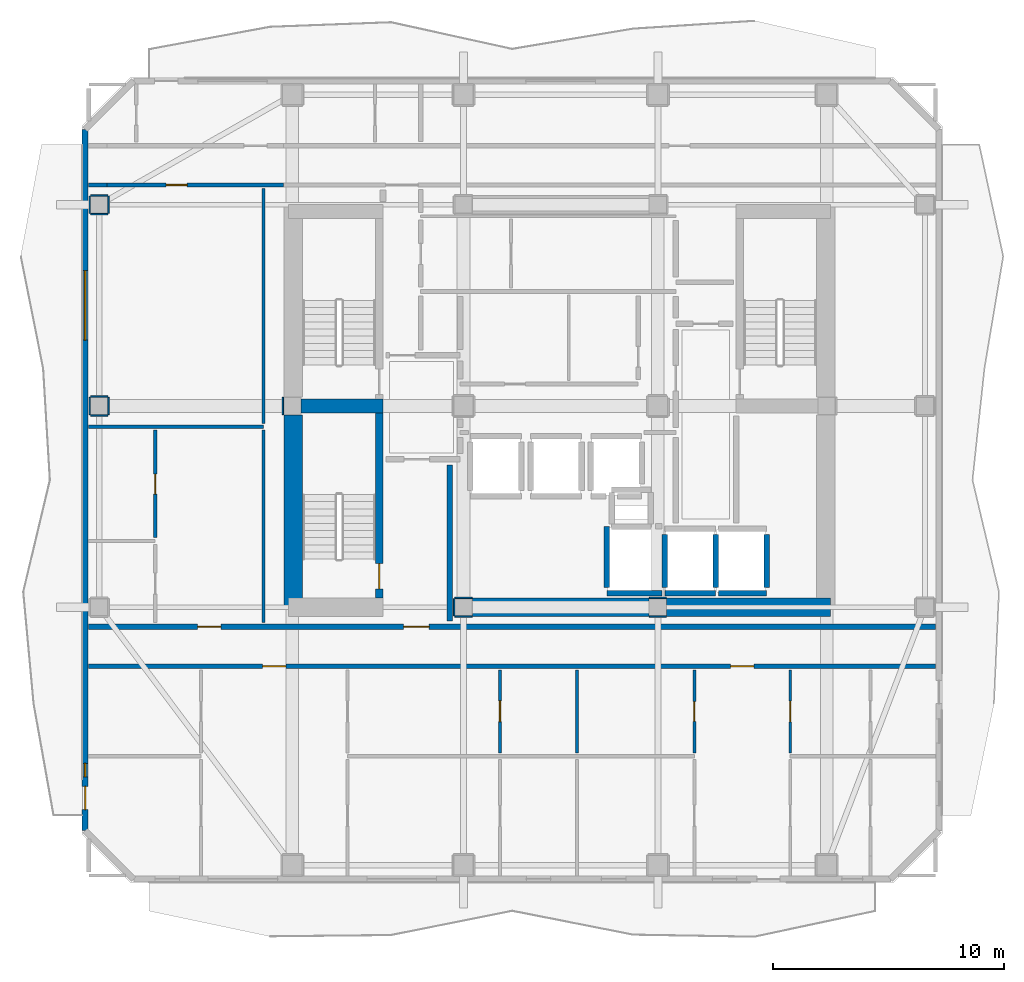
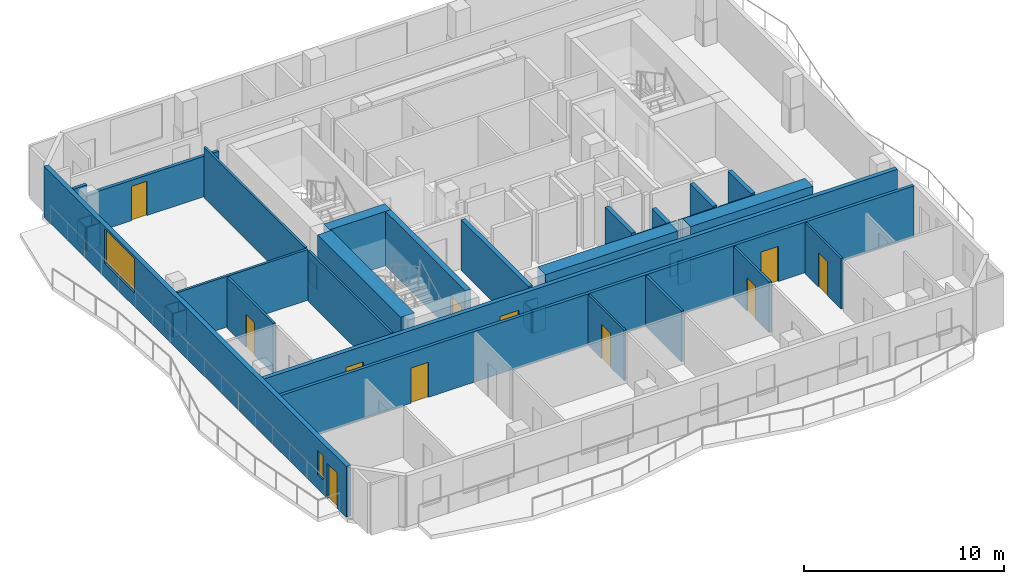
# One storey, part 3 of 10: 40 walls, 11 doors, 2 windows, 13 openings.
"""IFC4 building model written with IfcOpenShell, lengths in metres."""

from ifc_helpers import new_model, si_unit, direction, frame, frame_2d, origin, place, context, subcontext, project, spatial, rectangle, extrude, material, layer, layer_set, type_object, element, fill, save


model = new_model("IFC4")

# Units and contexts
model_context = context("Model", 3, precision=1e-05, world=origin(), true_north=direction((0.0, 1.0)))
body_context = subcontext(model_context, "Body", "Model", "MODEL_VIEW")
ifc_project = project(units=[si_unit("LENGTHUNIT", "METRE"), si_unit("AREAUNIT", "SQUARE_METRE"), si_unit("VOLUMEUNIT", "CUBIC_METRE"), si_unit("PLANEANGLEUNIT", "RADIAN"), si_unit("MASSUNIT", "GRAM", prefix="KILO")], contexts=[model_context])

# Site, building, storey
site_placement = place(None, origin())
site = spatial("IfcSite", under=ifc_project, at=site_placement, CompositionType="ELEMENT")
building_placement = place(site_placement, origin())
building = spatial("IfcBuilding", under=site, at=building_placement, Name="Solanera Arch Residences", CompositionType="ELEMENT")
storey_placement = place(building_placement, frame((0.0, 0.0, 200.1201171875)))
storey = spatial("IfcBuildingStorey", under=building, at=storey_placement, Name="L58", CompositionType="ELEMENT", Elevation=200.1201171875)

# Walls
ifc_material_1 = material(Name="Fire-Rated Gypsum Stud Partition", Category="gypsum")
ifc_layer_1 = layer(ifc_material_1, 0.06005859375)
ifc_layer_set_1 = layer_set([ifc_layer_1], Name="Fire-Rated Gypsum Stud Partition")
wall_type_1 = type_object("IfcWallType", Name="Column Acoustic Furring Wall 60", PredefinedType="PARTITIONING", material=ifc_layer_set_1)
for number, where, z_axis, x_axis, name in (
    (1, (20.425048828125, 21.593017578125, 0.0), (0.0, 0.0, 1.0), (1.0, 0.0, 0.0), "L58 Column Furring 1S"),
    (2, (20.425048828125, 22.406982421875, 0.0), (0.0, 0.0, 1.0), (1.0, 0.0, 0.0), "L58 Column Furring 1N"),
):
    element("IfcWall", number, at=place(storey_placement, frame(where, z_axis=z_axis, x_axis=x_axis)), inside=storey, type_object=wall_type_1, Name=name, PredefinedType="PARTITIONING", context=body_context, shape_type="SweptSolid", body=[
        extrude(rectangle(XDim=0.741943359375, YDim=0.06005859375, at=frame_2d((0.37109375, 0.0))), origin(), (0.0, 0.0, 1.0), 1.449951171875),
    ])
wall_1_placement = place(storey_placement, frame((20.39306640625, 21.625, 0.0), z_axis=(0.0, 0.0, 1.0), x_axis=(0.0, 1.0, 0.0)))
element("IfcWall", 3, at=wall_1_placement, inside=storey, type_object=wall_type_1, Name="L58 Column Furring 1W", PredefinedType="PARTITIONING", context=body_context, shape_type="SweptSolid", body=[
    extrude(rectangle(XDim=0.75, YDim=0.06005859375, at=frame_2d((0.375, 0.0))), origin(), (0.0, 0.0, 1.0), 1.449951171875),
])
for number, where, z_axis, x_axis, name in (
    (4, (28.8330078125, 21.593017578125, 0.0), (0.0, 0.0, 1.0), (1.0, 0.0, 0.0), "L58 Column Furring 2S"),
    (5, (28.8330078125, 22.406982421875, 0.0), (0.0, 0.0, 1.0), (1.0, 0.0, 0.0), "L58 Column Furring 2N"),
):
    element("IfcWall", number, at=place(storey_placement, frame(where, z_axis=z_axis, x_axis=x_axis)), inside=storey, type_object=wall_type_1, Name=name, PredefinedType="PARTITIONING", context=body_context, shape_type="SweptSolid", body=[
        extrude(rectangle(XDim=0.73388671875, YDim=0.06005859375, at=frame_2d((0.366943359375, 0.0))), origin(), (0.0, 0.0, 1.0), 1.449951171875),
    ])
for number, where, z_axis, x_axis, name in (
    (6, (12.992919921875, 30.324951171875, 0.0), (0.0, 0.0, 1.0), (0.0, 1.0, 0.0), "L58 Column Furring 5W"),
    (7, (4.675048828125, 30.29296875, 0.0), (0.0, 0.0, 1.0), (1.0, 0.0, 0.0), "L58 Column Furring 19S"),
    (8, (4.675048828125, 31.10693359375, 0.0), (0.0, 0.0, 1.0), (1.0, 0.0, 0.0), "L58 Column Furring 19N"),
    (9, (4.64306640625, 30.324951171875, 0.0), (0.0, 0.0, 1.0), (0.0, 1.0, 0.0), "L58 Column Furring 19W"),
    (10, (5.45703125, 30.324951171875, 0.0), (0.0, 0.0, 1.0), (0.0, 1.0, 0.0), "L58 Column Furring 19E"),
    (11, (4.675048828125, 38.992919921875, 0.0), (0.0, 0.0, 1.0), (1.0, 0.0, 0.0), "L58 Column Furring 21S"),
    (12, (4.675048828125, 39.806884765625, 0.0), (0.0, 0.0, 1.0), (1.0, 0.0, 0.0), "L58 Column Furring 21N"),
    (13, (4.64306640625, 39.02490234375, 0.0), (0.0, 0.0, 1.0), (0.0, 1.0, 0.0), "L58 Column Furring 21W"),
    (14, (5.45703125, 39.02490234375, 0.0), (0.0, 0.0, 1.0), (0.0, 1.0, 0.0), "L58 Column Furring 21E"),
):
    element("IfcWall", number, at=place(storey_placement, frame(where, z_axis=z_axis, x_axis=x_axis)), inside=storey, type_object=wall_type_1, Name=name, PredefinedType="PARTITIONING", context=body_context, shape_type="SweptSolid", body=[
        extrude(rectangle(XDim=0.75, YDim=0.06005859375, at=frame_2d((0.375, 0.0))), origin(), (0.0, 0.0, 1.0), 1.449951171875),
    ])

# Wall, opening, door
ifc_material_2 = material(Name="Concrete C40/50 (f'c = 45 MPa)", Category="concrete")
ifc_layer_2 = layer(ifc_material_2, 0.320068359375)
ifc_layer_set_2 = layer_set([ifc_layer_2], Name="Concrete C40/50 (f'c = 45 MPa)")
wall_type_2 = type_object("IfcWallType", Name="Core Shear Wall CW-320", PredefinedType="SHEAR", material=ifc_layer_set_2)
wall_2_placement = place(storey_placement, frame((17.159912109375, 22.39990234375, 0.0), z_axis=(0.0, 0.0, 1.0), x_axis=(0.0, 1.0, 0.0)))
wall_2 = element("IfcWall", 15, at=wall_2_placement, inside=storey, type_object=wall_type_2, Name="L58 Stair ST-T3 East Shear Wall", PredefinedType="SHEAR", context=body_context, shape_type="SweptSolid", body=[
    extrude(rectangle(XDim=8.0, YDim=0.320068359375, at=frame_2d((4.0, 0.0))), origin(), (0.0, 0.0, 1.0), 3.31982421875),
])
opening_1_placement = place(wall_2_placement, frame((0.389892578125, 0.0, 0.0)))
opening_1 = element("IfcOpeningElement", 16, at=opening_1_placement, cuts=wall_2, Name="Opening DF-01", PredefinedType="OPENING", context=body_context, shape_type="SweptSolid", body=[
    extrude(rectangle(XDim=1.10009765625, YDim=2.14990234375, at=frame_2d((0.550048828125, 1.074951171875))), frame((0.0, 0.169921875, 0.0), z_axis=(0.0, -1.0, 0.0), x_axis=(1.0, 0.0, 0.0)), (0.0, 0.0, 1.0), 0.3401),
])
ifc_material_3 = material(Name="Fire-Rated Architectural Hardwood", Category="wood")
door_type_1 = type_object("IfcDoorType", Name="Stair Exit Fire Door DF-01", OperationType="NOTDEFINED", PredefinedType="DOOR", material=ifc_material_3)
door_1_placement = place(opening_1_placement, origin())
door_1 = element("IfcDoor", 17, at=door_1_placement, inside=storey, type_object=door_type_1, Name="DR-L58-STAIR-ST-T3", OperationType="SINGLE_SWING_LEFT", OverallHeight=2.14990234375, OverallWidth=1.10009765625, PredefinedType="DOOR", context=body_context, shape_type="SweptSolid", body=[
    extrude(rectangle(XDim=1.10009765625, YDim=2.14990234375, at=frame_2d((0.550048828125, 1.074951171875))), frame((0.0, 0.02490234375, 0.0), z_axis=(0.0, -1.0, 0.0), x_axis=(1.0, 0.0, 0.0)), (0.0, 0.0, 1.0), 0.050048828125),
])
fill(opening_1, door_1)

# Walls
ifc_material_4 = material(Name="Concrete C40/50 (f'c = 45 MPa)", Category="concrete")
ifc_layer_3 = layer(ifc_material_4, 0.60009765625)
ifc_layer_set_3 = layer_set([ifc_layer_3], Name="Concrete C40/50 (f'c = 45 MPa)")
wall_type_3 = type_object("IfcWallType", Name="Core Shear Wall CW-600", PredefinedType="SHEAR", material=ifc_layer_set_3)
wall_3_placement = place(storey_placement, frame((13.780029296875, 30.699951171875, 0.0), z_axis=(0.0, 0.0, 1.0), x_axis=(1.0, 0.0, 0.0)))
element("IfcWall", 18, at=wall_3_placement, inside=storey, type_object=wall_type_3, Name="L58 West Stair Divider Shear Wall", PredefinedType="SHEAR", context=body_context, shape_type="SweptSolid", body=[
    extrude(rectangle(XDim=3.5400390625, YDim=0.60009765625, at=frame_2d((1.77001953125, 0.0))), origin(), (0.0, 0.0, 1.0), 3.31982421875),
])
ifc_material_5 = material(Name="Concrete C40/50 (f'c = 45 MPa)", Category="concrete")
ifc_layer_4 = layer(ifc_material_5, 0.800048828125)
ifc_layer_set_4 = layer_set([ifc_layer_4], Name="Concrete C40/50 (f'c = 45 MPa)")
wall_type_4 = type_object("IfcWallType", Name="Core Shear Wall CW-800", PredefinedType="SHEAR", material=ifc_layer_set_4)
wall_4_placement = place(storey_placement, frame((13.43994140625, 22.0, 0.0), z_axis=(0.0, 0.0, 1.0), x_axis=(0.0, 1.0, 0.0)))
element("IfcWall", 19, at=wall_4_placement, inside=storey, type_object=wall_type_4, Name="L58 West Core South Shear Wall", PredefinedType="SHEAR", context=body_context, shape_type="SweptSolid", body=[
    extrude(rectangle(XDim=8.320068359375, YDim=0.800048828125, at=frame_2d((4.16015625, 0.0))), origin(), (0.0, 0.0, 1.0), 3.31982421875),
])
wall_5_placement = place(storey_placement, frame((29.580078125, 22.0, 0.0), z_axis=(0.0, 0.0, 1.0), x_axis=(1.0, 0.0, 0.0)))
element("IfcWall", 20, at=wall_5_placement, inside=storey, type_object=wall_type_4, Name="L58 South-East Core Shear Wall", PredefinedType="SHEAR", context=body_context, shape_type="SweptSolid", body=[
    extrude(rectangle(XDim=7.079833984375, YDim=0.800048828125, at=frame_2d((3.5400390625, 0.0))), origin(), (0.0, 0.0, 1.0), 3.31982421875),
])
wall_6_placement = place(storey_placement, frame((21.179931640625, 22.0, 0.0), z_axis=(0.0, 0.0, 1.0), x_axis=(1.0, 0.0, 0.0)))
element("IfcWall", 21, at=wall_6_placement, inside=storey, type_object=wall_type_4, Name="L58 Central South Core Shear Wall", PredefinedType="SHEAR", context=body_context, shape_type="SweptSolid", body=[
    extrude(rectangle(XDim=7.64013671875, YDim=0.800048828125, at=frame_2d((3.820068359375, 0.0))), origin(), (0.0, 0.0, 1.0), 3.31982421875),
])

# Wall, openings, doors
ifc_material_6 = material(Name="Autoclaved Aerated Concrete Blockwork", Category="masonry")
ifc_layer_5 = layer(ifc_material_6, 0.179931640625)
ifc_layer_set_5 = layer_set([ifc_layer_5], Name="Autoclaved Aerated Concrete Blockwork")
wall_type_5 = type_object("IfcWallType", Name="Corridor Fire Partition 180", PredefinedType="PARTITIONING", material=ifc_layer_set_5)
wall_7_placement = place(storey_placement, frame((4.5869140625, 19.449951171875, 0.0), z_axis=(0.0, 0.0, 1.0), x_axis=(1.0, 0.0, 0.0)))
wall_7 = element("IfcWall", 22, at=wall_7_placement, inside=storey, type_object=wall_type_5, Name="L58 Interior Partition H6", PredefinedType="PARTITIONING", context=body_context, shape_type="SweptSolid", body=[
    extrude(rectangle(XDim=36.6259765625, YDim=0.179931640625, at=frame_2d((18.31298828125, 0.0))), origin(), (0.0, 0.0, 1.0), 3.099853515625),
])
opening_2_placement = place(wall_7_placement, frame((7.532958984375, 0.0, 0.0)))
opening_2 = element("IfcOpeningElement", 23, at=opening_2_placement, cuts=wall_7, Name="Opening DI-01", PredefinedType="OPENING", context=body_context, shape_type="SweptSolid", body=[
    extrude(rectangle(XDim=1.0, YDim=2.14990234375, at=frame_2d((0.5, 1.074951171875))), frame((0.0, 0.10009765625, 0.0), z_axis=(0.0, -1.0, 0.0), x_axis=(1.0, 0.0, 0.0)), (0.0, 0.0, 1.0), 0.1999),
])
opening_3_placement = place(wall_7_placement, frame((27.762939453125, 0.0, 0.0)))
opening_3 = element("IfcOpeningElement", 24, at=opening_3_placement, cuts=wall_7, Name="Opening DI-01", PredefinedType="OPENING", context=body_context, shape_type="SweptSolid", body=[
    extrude(rectangle(XDim=1.0, YDim=2.14990234375, at=frame_2d((0.5, 1.074951171875))), frame((0.0, 0.10009765625, 0.0), z_axis=(0.0, -1.0, 0.0), x_axis=(1.0, 0.0, 0.0)), (0.0, 0.0, 1.0), 0.1999),
])
ifc_material_7 = material(Name="Fire-Rated Architectural Hardwood", Category="wood")
door_type_2 = type_object("IfcDoorType", Name="Unit Entrance Fire Door DI-01", OperationType="NOTDEFINED", PredefinedType="DOOR", material=ifc_material_7)
door_2_placement = place(opening_2_placement, origin())
door_2 = element("IfcDoor", 25, at=door_2_placement, inside=storey, type_object=door_type_2, Name="DR-L58-IN-014", OperationType="SINGLE_SWING_RIGHT", OverallHeight=2.14990234375, OverallWidth=1.0, PredefinedType="DOOR", context=body_context, shape_type="SweptSolid", body=[
    extrude(rectangle(XDim=1.0, YDim=2.14990234375, at=frame_2d((0.5, 1.074951171875))), frame((0.0, 0.02490234375, 0.0), z_axis=(0.0, -1.0, 0.0), x_axis=(1.0, 0.0, 0.0)), (0.0, 0.0, 1.0), 0.050048828125),
])
fill(opening_2, door_2)
door_3_placement = place(opening_3_placement, origin())
door_3 = element("IfcDoor", 26, at=door_3_placement, inside=storey, type_object=door_type_2, Name="DR-L58-IN-021", OperationType="SINGLE_SWING_LEFT", OverallHeight=2.14990234375, OverallWidth=1.0, PredefinedType="DOOR", context=body_context, shape_type="SweptSolid", body=[
    extrude(rectangle(XDim=1.0, YDim=2.14990234375, at=frame_2d((0.5, 1.074951171875))), frame((0.0, 0.02490234375, 0.0), z_axis=(0.0, -1.0, 0.0), x_axis=(1.0, 0.0, 0.0)), (0.0, 0.0, 1.0), 0.050048828125),
])
fill(opening_3, door_3)

# Wall
wall_8_placement = place(storey_placement, frame((4.5869140625, 40.25, 0.0), z_axis=(0.0, 0.0, 1.0), x_axis=(1.0, 0.0, 0.0)))
element("IfcWall", 27, at=wall_8_placement, inside=storey, type_object=wall_type_5, Name="L58 Interior Partition H11 1", PredefinedType="PARTITIONING", context=body_context, shape_type="SweptSolid", body=[
    extrude(rectangle(XDim=0.801025390625, YDim=0.179931640625, at=frame_2d((0.400390625, 0.0))), origin(), (0.0, 0.0, 1.0), 3.099853515625),
])

# Wall, opening, door
wall_9_placement = place(storey_placement, frame((5.387939453125, 40.25, 0.0), z_axis=(0.0, 0.0, 1.0), x_axis=(1.0, 0.0, 0.0)))
wall_9 = element("IfcWall", 28, at=wall_9_placement, inside=storey, type_object=wall_type_5, Name="L58 Interior Partition H11 2", PredefinedType="PARTITIONING", context=body_context, shape_type="SweptSolid", body=[
    extrude(rectangle(XDim=7.6240234375, YDim=0.179931640625, at=frame_2d((3.81201171875, 0.0))), origin(), (0.0, 0.0, 1.0), 2.476806640625),
])
opening_4_placement = place(wall_9_placement, frame((2.56103515625, 0.0, 0.0)))
opening_4 = element("IfcOpeningElement", 29, at=opening_4_placement, cuts=wall_9, Name="Opening DI-02", PredefinedType="OPENING", context=body_context, shape_type="SweptSolid", body=[
    extrude(rectangle(XDim=0.89990234375, YDim=2.10009765625, at=frame_2d((0.449951171875, 1.050048828125))), frame((0.0, 0.10009765625, 0.0), z_axis=(0.0, -1.0, 0.0), x_axis=(1.0, 0.0, 0.0)), (0.0, 0.0, 1.0), 0.1999),
])
ifc_material_8 = material(Name="Fire-Rated Architectural Hardwood", Category="wood")
door_type_3 = type_object("IfcDoorType", Name="Suite Room Swing Door DI-02", OperationType="NOTDEFINED", PredefinedType="DOOR", material=ifc_material_8)
door_4_placement = place(opening_4_placement, origin())
door_4 = element("IfcDoor", 30, at=door_4_placement, inside=storey, type_object=door_type_3, Name="DR-L58-IN-035", OperationType="SINGLE_SWING_LEFT", OverallHeight=2.10009765625, OverallWidth=0.89990234375, PredefinedType="DOOR", context=body_context, shape_type="SweptSolid", body=[
    extrude(rectangle(XDim=0.89990234375, YDim=2.10009765625, at=frame_2d((0.449951171875, 1.050048828125))), frame((0.0, 0.02490234375, 0.0), z_axis=(0.0, -1.0, 0.0), x_axis=(1.0, 0.0, 0.0)), (0.0, 0.0, 1.0), 0.050048828125),
])
fill(opening_4, door_4)

# Wall, openings, door, windows
ifc_material_9 = material(Name="Precast Concrete C35/45", Category="concrete")
ifc_layer_6 = layer(ifc_material_9, 0.260009765625)
ifc_layer_set_6 = layer_set([ifc_layer_6], Name="Precast Concrete C35/45")
wall_type_6 = type_object("IfcWallType", Name="Exterior Wall Precast Masonry-Frame 260", PredefinedType="STANDARD", material=ifc_layer_set_6)
wall_10_placement = place(storey_placement, frame((4.445068359375, 12.344970703125, 0.0), z_axis=(0.0, 0.0, 1.0), x_axis=(0.0, 1.0, 0.0)))
wall_10 = element("IfcWall", 31, at=wall_10_placement, inside=storey, type_object=wall_type_6, Name="L58 Tower Exterior Precast Masonry-Frame Wall W", PredefinedType="STANDARD", context=body_context, shape_type="SweptSolid", body=[
    extrude(rectangle(XDim=30.31005859375, YDim=0.260009765625, at=frame_2d((15.155029296875, 0.0))), origin(), (0.0, 0.0, 1.0), 3.099853515625),
])
opening_5_placement = place(wall_10_placement, frame((0.909912109375, 0.0, 0.0)))
opening_5 = element("IfcOpeningElement", 32, at=opening_5_placement, cuts=wall_10, Name="Opening DB-01", PredefinedType="OPENING", context=body_context, shape_type="SweptSolid", body=[
    extrude(rectangle(XDim=1.0, YDim=2.14990234375, at=frame_2d((0.5, 1.074951171875))), frame((0.0, 0.139892578125, 0.0), z_axis=(0.0, -1.0, 0.0), x_axis=(1.0, 0.0, 0.0)), (0.0, 0.0, 1.0), 0.28),
])
opening_6_placement = place(wall_10_placement, frame((2.322021484375, 0.0, 0.85009765625)))
opening_6 = element("IfcOpeningElement", 33, at=opening_6_placement, cuts=wall_10, Name="Opening W-14", PredefinedType="OPENING", context=body_context, shape_type="SweptSolid", body=[
    extrude(rectangle(XDim=0.580078125, YDim=1.5, at=frame_2d((0.2900390625, 0.75))), frame((0.0, 0.139892578125, 0.0), z_axis=(0.0, -1.0, 0.0), x_axis=(1.0, 0.0, 0.0)), (0.0, 0.0, 1.0), 0.28),
])
opening_7_placement = place(wall_10_placement, frame((21.205078125, 0.0, 0.85009765625)))
opening_7 = element("IfcOpeningElement", 34, at=opening_7_placement, cuts=wall_10, Name="Opening W-12", PredefinedType="OPENING", context=body_context, shape_type="SweptSolid", body=[
    extrude(rectangle(XDim=3.0, YDim=2.10009765625, at=frame_2d((1.5, 1.050048828125))), frame((0.0, 0.139892578125, 0.0), z_axis=(0.0, -1.0, 0.0), x_axis=(1.0, 0.0, 0.0)), (0.0, 0.0, 1.0), 0.28),
])
ifc_material_10 = material(Name="Anodised Aluminium Alloy 6063-T6", Category="aluminium")
door_type_4 = type_object("IfcDoorType", Name="Glazed Balcony Swing Door DB-01", OperationType="NOTDEFINED", PredefinedType="DOOR", material=ifc_material_10)
door_5_placement = place(opening_5_placement, origin())
door_5 = element("IfcDoor", 35, at=door_5_placement, inside=storey, type_object=door_type_4, Name="DR-L58-OUT-04", OperationType="SINGLE_SWING_LEFT", OverallHeight=2.14990234375, OverallWidth=1.0, PredefinedType="DOOR", context=body_context, shape_type="SweptSolid", body=[
    extrude(rectangle(XDim=1.0, YDim=2.14990234375, at=frame_2d((0.5, 1.074951171875))), frame((0.0, 0.02490234375, 0.0), z_axis=(0.0, -1.0, 0.0), x_axis=(1.0, 0.0, 0.0)), (0.0, 0.0, 1.0), 0.050048828125),
])
fill(opening_5, door_5)
ifc_material_11 = material(Name="Double Glazed Low-E Laminated Glass", Category="glass")
window_type_1 = type_object("IfcWindowType", Name="Punched Window W-12", PartitioningType="TRIPLE_PANEL_VERTICAL", PredefinedType="WINDOW", material=ifc_material_11)
window_1_placement = place(opening_7_placement, origin())
window_1 = element("IfcWindow", 36, at=window_1_placement, inside=storey, type_object=window_type_1, Name="L58 AMN-STDW Punched Window", OverallHeight=2.10009765625, OverallWidth=3.0, PartitioningType="SINGLE_PANEL", PredefinedType="WINDOW", context=body_context, shape_type="SweptSolid", body=[
    extrude(rectangle(XDim=3.0, YDim=2.10009765625, at=frame_2d((1.5, 1.050048828125))), frame((0.0, 0.030029296875, 0.0), z_axis=(0.0, -1.0, 0.0), x_axis=(1.0, 0.0, 0.0)), (0.0, 0.0, 1.0), 0.06005859375),
])
fill(opening_7, window_1)
ifc_material_12 = material(Name="Double Glazed Low-E Laminated Glass", Category="glass")
window_type_2 = type_object("IfcWindowType", Name="Punched Window W-14", PartitioningType="SINGLE_PANEL", PredefinedType="WINDOW", material=ifc_material_12)
window_2_placement = place(opening_6_placement, origin())
window_2 = element("IfcWindow", 37, at=window_2_placement, inside=storey, type_object=window_type_2, Name="L58 5801-BR1 Punched Window", OverallHeight=1.5, OverallWidth=0.580078125, PartitioningType="SINGLE_PANEL", PredefinedType="WINDOW", context=body_context, shape_type="SweptSolid", body=[
    extrude(rectangle(XDim=0.580078125, YDim=1.5, at=frame_2d((0.2900390625, 0.75))), frame((0.0, 0.030029296875, 0.0), z_axis=(0.0, -1.0, 0.0), x_axis=(1.0, 0.0, 0.0)), (0.0, 0.0, 1.0), 0.06005859375),
])
fill(opening_6, window_2)

# Walls
ifc_material_13 = material(Name="Autoclaved Aerated Concrete Blockwork", Category="masonry")
ifc_layer_7 = layer(ifc_material_13, 0.239990234375)
ifc_layer_set_7 = layer_set([ifc_layer_7], Name="Autoclaved Aerated Concrete Blockwork")
wall_type_7 = type_object("IfcWallType", Name="Shaft Wall Fire-Rated 240", PredefinedType="PARTITIONING", material=ifc_layer_set_7)
wall_11_placement = place(storey_placement, frame((29.5, 22.60009765625, 0.0), z_axis=(0.0, 0.0, 1.0), x_axis=(1.0, 0.0, 0.0)))
element("IfcWall", 38, at=wall_11_placement, inside=storey, type_object=wall_type_7, Name="L58 Lift FFL-1 Hoistway Wall S", PredefinedType="PARTITIONING", context=body_context, shape_type="SweptSolid", body=[
    extrude(rectangle(XDim=2.199951171875, YDim=0.239990234375, at=frame_2d((1.10009765625, 0.0))), origin(), (0.0, 0.0, 1.0), 3.099853515625),
])
wall_12_placement = place(storey_placement, frame((29.5, 22.847900390625, 0.0), z_axis=(0.0, 0.0, 1.0), x_axis=(0.0, 1.0, 0.0)))
element("IfcWall", 39, at=wall_12_placement, inside=storey, type_object=wall_type_7, Name="L58 Lift FFL-1 Hoistway Wall W", PredefinedType="PARTITIONING", context=body_context, shape_type="SweptSolid", body=[
    extrude(rectangle(XDim=2.30419921875, YDim=0.239990234375, at=frame_2d((1.152099609375, 0.0))), origin(), (0.0, 0.0, 1.0), 2.3349609375),
])
wall_13_placement = place(storey_placement, frame((31.699951171875, 22.847900390625, 0.0), z_axis=(0.0, 0.0, 1.0), x_axis=(0.0, 1.0, 0.0)))
element("IfcWall", 40, at=wall_13_placement, inside=storey, type_object=wall_type_7, Name="L58 Lift FFL-1 Hoistway Wall E", PredefinedType="PARTITIONING", context=body_context, shape_type="SweptSolid", body=[
    extrude(rectangle(XDim=2.30419921875, YDim=0.239990234375, at=frame_2d((1.152099609375, 0.0))), origin(), (0.0, 0.0, 1.0), 3.099853515625),
])
wall_14_placement = place(storey_placement, frame((31.827880859375, 22.60009765625, 0.0), z_axis=(0.0, 0.0, 1.0), x_axis=(1.0, 0.0, 0.0)))
element("IfcWall", 41, at=wall_14_placement, inside=storey, type_object=wall_type_7, Name="L58 Lift FFL-2 Hoistway Wall S", PredefinedType="PARTITIONING", context=body_context, shape_type="SweptSolid", body=[
    extrude(rectangle(XDim=2.072021484375, YDim=0.239990234375, at=frame_2d((1.0361328125, 0.0))), origin(), (0.0, 0.0, 1.0), 3.099853515625),
])
wall_15_placement = place(storey_placement, frame((33.89990234375, 22.847900390625, 0.0), z_axis=(0.0, 0.0, 1.0), x_axis=(0.0, 1.0, 0.0)))
element("IfcWall", 42, at=wall_15_placement, inside=storey, type_object=wall_type_7, Name="L58 Lift FFL-2 Hoistway Wall E", PredefinedType="PARTITIONING", context=body_context, shape_type="SweptSolid", body=[
    extrude(rectangle(XDim=2.30419921875, YDim=0.239990234375, at=frame_2d((1.152099609375, 0.0))), origin(), (0.0, 0.0, 1.0), 3.099853515625),
])
wall_16_placement = place(storey_placement, frame((27.0, 22.60009765625, 0.0), z_axis=(0.0, 0.0, 1.0), x_axis=(1.0, 0.0, 0.0)))
element("IfcWall", 43, at=wall_16_placement, inside=storey, type_object=wall_type_7, Name="L58 Lift SVL-1 Hoistway Wall S", PredefinedType="PARTITIONING", context=body_context, shape_type="SweptSolid", body=[
    extrude(rectangle(XDim=2.3720703125, YDim=0.239990234375, at=frame_2d((1.18603515625, 0.0))), origin(), (0.0, 0.0, 1.0), 3.099853515625),
])
wall_17_placement = place(storey_placement, frame((27.0, 22.847900390625, 0.0), z_axis=(0.0, 0.0, 1.0), x_axis=(0.0, 1.0, 0.0)))
element("IfcWall", 44, at=wall_17_placement, inside=storey, type_object=wall_type_7, Name="L58 Lift SVL-1 Hoistway Wall W", PredefinedType="PARTITIONING", context=body_context, shape_type="SweptSolid", body=[
    extrude(rectangle(XDim=2.650146484375, YDim=0.239990234375, at=frame_2d((1.3251953125, 0.0))), origin(), (0.0, 0.0, 1.0), 3.099853515625),
])

# Wall, openings, doors
wall_18_placement = place(storey_placement, frame((4.5869140625, 21.14990234375, 0.0), z_axis=(0.0, 0.0, 1.0), x_axis=(1.0, 0.0, 0.0)))
wall_18 = element("IfcWall", 45, at=wall_18_placement, inside=storey, type_object=wall_type_7, Name="L58 Interior Partition H1", PredefinedType="PARTITIONING", context=body_context, shape_type="SweptSolid", body=[
    extrude(rectangle(XDim=36.6259765625, YDim=0.239990234375, at=frame_2d((18.31298828125, 0.0))), origin(), (0.0, 0.0, 1.0), 3.099853515625),
])
opening_8_placement = place(wall_18_placement, frame((13.623046875, 0.0, 0.0)))
opening_8 = element("IfcOpeningElement", 46, at=opening_8_placement, cuts=wall_18, Name="Opening DF-02", PredefinedType="OPENING", context=body_context, shape_type="SweptSolid", body=[
    extrude(rectangle(XDim=1.10009765625, YDim=2.14990234375, at=frame_2d((0.550048828125, 1.074951171875))), frame((0.0, 0.1298828125, 0.0), z_axis=(0.0, -1.0, 0.0), x_axis=(1.0, 0.0, 0.0)), (0.0, 0.0, 1.0), 0.26),
])
opening_9_placement = place(wall_18_placement, frame((4.722900390625, 0.0, 0.0)))
opening_9 = element("IfcOpeningElement", 47, at=opening_9_placement, cuts=wall_18, Name="Opening DI-01", PredefinedType="OPENING", context=body_context, shape_type="SweptSolid", body=[
    extrude(rectangle(XDim=1.0, YDim=2.14990234375, at=frame_2d((0.5, 1.074951171875))), frame((0.0, 0.1298828125, 0.0), z_axis=(0.0, -1.0, 0.0), x_axis=(1.0, 0.0, 0.0)), (0.0, 0.0, 1.0), 0.26),
])
ifc_material_14 = material(Name="Fire-Rated Architectural Hardwood", Category="wood")
door_type_5 = type_object("IfcDoorType", Name="Firefighting Lobby Fire Door DF-02", OperationType="NOTDEFINED", PredefinedType="DOOR", material=ifc_material_14)
door_6_placement = place(opening_8_placement, origin())
door_6 = element("IfcDoor", 48, at=door_6_placement, inside=storey, type_object=door_type_5, Name="DR-L58-IN-008", OperationType="SINGLE_SWING_RIGHT", OverallHeight=2.14990234375, OverallWidth=1.10009765625, PredefinedType="DOOR", context=body_context, shape_type="SweptSolid", body=[
    extrude(rectangle(XDim=1.10009765625, YDim=2.14990234375, at=frame_2d((0.550048828125, 1.074951171875))), frame((0.0, 0.02490234375, 0.0), z_axis=(0.0, -1.0, 0.0), x_axis=(1.0, 0.0, 0.0)), (0.0, 0.0, 1.0), 0.050048828125),
])
fill(opening_8, door_6)
door_7_placement = place(opening_9_placement, origin())
door_7 = element("IfcDoor", 49, at=door_7_placement, inside=storey, type_object=door_type_2, Name="DR-L58-IN-032", OperationType="SINGLE_SWING_RIGHT", OverallHeight=2.14990234375, OverallWidth=1.0, PredefinedType="DOOR", context=body_context, shape_type="SweptSolid", body=[
    extrude(rectangle(XDim=1.0, YDim=2.14990234375, at=frame_2d((0.5, 1.074951171875))), frame((0.0, 0.02490234375, 0.0), z_axis=(0.0, -1.0, 0.0), x_axis=(1.0, 0.0, 0.0)), (0.0, 0.0, 1.0), 0.050048828125),
])
fill(opening_9, door_7)

# Walls
wall_19_placement = place(storey_placement, frame((20.199951171875, 21.39794921875, 0.0), z_axis=(0.0, 0.0, 1.0), x_axis=(0.0, 1.0, 0.0)))
element("IfcWall", 50, at=wall_19_placement, inside=storey, type_object=wall_type_7, Name="L58 Interior Partition V2", PredefinedType="PARTITIONING", context=body_context, shape_type="SweptSolid", body=[
    extrude(rectangle(XDim=6.754150390625, YDim=0.239990234375, at=frame_2d((3.376953125, 0.0))), origin(), (0.0, 0.0, 1.0), 3.099853515625),
])
ifc_material_15 = material(Name="Fire-Rated Gypsum Stud Partition", Category="gypsum")
ifc_layer_8 = layer(ifc_material_15, 0.1201171875)
ifc_layer_set_8 = layer_set([ifc_layer_8], Name="Fire-Rated Gypsum Stud Partition")
wall_type_8 = type_object("IfcWallType", Name="Unit Drywall Partition 120", PredefinedType="PARTITIONING", material=ifc_layer_set_8)
wall_20_placement = place(storey_placement, frame((12.14990234375, 21.337890625, 0.0), z_axis=(0.0, 0.0, 1.0), x_axis=(0.0, 1.0, 0.0)))
element("IfcWall", 51, at=wall_20_placement, inside=storey, type_object=wall_type_8, Name="L58 Interior Partition V17 1", PredefinedType="PARTITIONING", context=body_context, shape_type="SweptSolid", body=[
    extrude(rectangle(XDim=8.32421875, YDim=0.1201171875, at=frame_2d((4.162109375, 0.0))), origin(), (0.0, 0.0, 1.0), 3.099853515625),
])
wall_21_placement = place(storey_placement, frame((12.14990234375, 29.93798828125, 0.0), z_axis=(0.0, 0.0, 1.0), x_axis=(0.0, 1.0, 0.0)))
element("IfcWall", 52, at=wall_21_placement, inside=storey, type_object=wall_type_8, Name="L58 Interior Partition V17 2", PredefinedType="PARTITIONING", context=body_context, shape_type="SweptSolid", body=[
    extrude(rectangle(XDim=10.154052734375, YDim=0.1201171875, at=frame_2d((5.0771484375, 0.0))), origin(), (0.0, 0.0, 1.0), 3.099853515625),
])

# Wall, opening, door
wall_22_placement = place(storey_placement, frame((22.3798828125, 15.697021484375, 0.0), z_axis=(0.0, 0.0, 1.0), x_axis=(0.0, 1.0, 0.0)))
wall_22 = element("IfcWall", 53, at=wall_22_placement, inside=storey, type_object=wall_type_8, Name="L58 Interior Partition V20 2", PredefinedType="PARTITIONING", context=body_context, shape_type="SweptSolid", body=[
    extrude(rectangle(XDim=3.594970703125, YDim=0.1201171875, at=frame_2d((1.79736328125, 0.0))), origin(), (0.0, 0.0, 1.0), 3.099853515625),
])
opening_10_placement = place(wall_22_placement, frame((1.35791015625, 0.0, 0.0)))
opening_10 = element("IfcOpeningElement", 54, at=opening_10_placement, cuts=wall_22, Name="Opening DI-02", PredefinedType="OPENING", context=body_context, shape_type="SweptSolid", body=[
    extrude(rectangle(XDim=0.89990234375, YDim=2.10009765625, at=frame_2d((0.449951171875, 1.050048828125))), frame((0.0, 0.070068359375, 0.0), z_axis=(0.0, -1.0, 0.0), x_axis=(1.0, 0.0, 0.0)), (0.0, 0.0, 1.0), 0.1401),
])
door_8_placement = place(opening_10_placement, origin())
door_8 = element("IfcDoor", 55, at=door_8_placement, inside=storey, type_object=door_type_3, Name="DR-L58-IN-018", OperationType="SINGLE_SWING_RIGHT", OverallHeight=2.10009765625, OverallWidth=0.89990234375, PredefinedType="DOOR", context=body_context, shape_type="SweptSolid", body=[
    extrude(rectangle(XDim=0.89990234375, YDim=2.10009765625, at=frame_2d((0.449951171875, 1.050048828125))), frame((0.0, 0.02490234375, 0.0), z_axis=(0.0, -1.0, 0.0), x_axis=(1.0, 0.0, 0.0)), (0.0, 0.0, 1.0), 0.050048828125),
])
fill(opening_10, door_8)

wall_23_placement = place(storey_placement, frame((34.919921875, 15.697021484375, 0.0), z_axis=(0.0, 0.0, 1.0), x_axis=(0.0, 1.0, 0.0)))
wall_23 = element("IfcWall", 56, at=wall_23_placement, inside=storey, type_object=wall_type_8, Name="L58 Interior Partition V23 2", PredefinedType="PARTITIONING", context=body_context, shape_type="SweptSolid", body=[
    extrude(rectangle(XDim=3.594970703125, YDim=0.1201171875, at=frame_2d((1.79736328125, 0.0))), origin(), (0.0, 0.0, 1.0), 3.099853515625),
])
opening_11_placement = place(wall_23_placement, frame((1.344970703125, 0.0, 0.0)))
opening_11 = element("IfcOpeningElement", 57, at=opening_11_placement, cuts=wall_23, Name="Opening DI-02", PredefinedType="OPENING", context=body_context, shape_type="SweptSolid", body=[
    extrude(rectangle(XDim=0.89990234375, YDim=2.10009765625, at=frame_2d((0.449951171875, 1.050048828125))), frame((0.0, 0.070068359375, 0.0), z_axis=(0.0, -1.0, 0.0), x_axis=(1.0, 0.0, 0.0)), (0.0, 0.0, 1.0), 0.1401),
])
door_9_placement = place(opening_11_placement, origin())
door_9 = element("IfcDoor", 58, at=door_9_placement, inside=storey, type_object=door_type_3, Name="DR-L58-IN-024", OperationType="SINGLE_SWING_RIGHT", OverallHeight=2.10009765625, OverallWidth=0.89990234375, PredefinedType="DOOR", context=body_context, shape_type="SweptSolid", body=[
    extrude(rectangle(XDim=0.89990234375, YDim=2.10009765625, at=frame_2d((0.449951171875, 1.050048828125))), frame((0.0, 0.02490234375, 0.0), z_axis=(0.0, -1.0, 0.0), x_axis=(1.0, 0.0, 0.0)), (0.0, 0.0, 1.0), 0.050048828125),
])
fill(opening_11, door_9)

# Wall
ifc_material_16 = material(Name="Autoclaved Aerated Concrete Blockwork", Category="masonry")
ifc_layer_9 = layer(ifc_material_16, 0.139892578125)
ifc_layer_set_9 = layer_set([ifc_layer_9], Name="Autoclaved Aerated Concrete Blockwork")
wall_type_9 = type_object("IfcWallType", Name="Wet-Room Partition 140", PredefinedType="PARTITIONING", material=ifc_layer_set_9)
wall_24_placement = place(storey_placement, frame((4.5869140625, 29.800048828125, 0.0), z_axis=(0.0, 0.0, 1.0), x_axis=(1.0, 0.0, 0.0)))
element("IfcWall", 59, at=wall_24_placement, inside=storey, type_object=wall_type_9, Name="L58 Interior Partition H17", PredefinedType="PARTITIONING", context=body_context, shape_type="SweptSolid", body=[
    extrude(rectangle(XDim=7.56298828125, YDim=0.139892578125, at=frame_2d((3.781494140625, 0.0))), origin(), (0.0, 0.0, 1.0), 3.099853515625),
])

# Wall, opening, door
wall_25_placement = place(storey_placement, frame((7.468994140625, 25.01708984375, 0.0), z_axis=(0.0, 0.0, 1.0), x_axis=(0.0, 1.0, 0.0)))
wall_25 = element("IfcWall", 60, at=wall_25_placement, inside=storey, type_object=wall_type_9, Name="L58 Interior Partition V13 2", PredefinedType="PARTITIONING", context=body_context, shape_type="SweptSolid", body=[
    extrude(rectangle(XDim=4.635009765625, YDim=0.139892578125, at=frame_2d((2.3173828125, 0.0))), origin(), (0.0, 0.0, 1.0), 3.099853515625),
])
opening_12_placement = place(wall_25_placement, frame((1.875, 0.0, 0.0)))
opening_12 = element("IfcOpeningElement", 61, at=opening_12_placement, cuts=wall_25, Name="Opening DI-05", PredefinedType="OPENING", context=body_context, shape_type="SweptSolid", body=[
    extrude(rectangle(XDim=0.860107421875, YDim=2.02001953125, at=frame_2d((0.43017578125, 1.010009765625))), frame((0.0, 0.079833984375, 0.0), z_axis=(0.0, -1.0, 0.0), x_axis=(1.0, 0.0, 0.0)), (0.0, 0.0, 1.0), 0.1599),
])
ifc_material_17 = material(Name="Fire-Rated Architectural Hardwood", Category="wood")
door_type_6 = type_object("IfcDoorType", Name="Bathroom Swing Door DI-05", OperationType="NOTDEFINED", PredefinedType="DOOR", material=ifc_material_17)
door_10_placement = place(opening_12_placement, origin())
door_10 = element("IfcDoor", 62, at=door_10_placement, inside=storey, type_object=door_type_6, Name="DR-L58-IN-034", OperationType="SINGLE_SWING_RIGHT", OverallHeight=2.02001953125, OverallWidth=0.860107421875, PredefinedType="DOOR", context=body_context, shape_type="SweptSolid", body=[
    extrude(rectangle(XDim=0.860107421875, YDim=2.02001953125, at=frame_2d((0.43017578125, 1.010009765625))), frame((0.0, 0.02490234375, 0.0), z_axis=(0.0, -1.0, 0.0), x_axis=(1.0, 0.0, 0.0)), (0.0, 0.0, 1.0), 0.050048828125),
])
fill(opening_12, door_10)

# Wall
wall_26_placement = place(storey_placement, frame((25.7041015625, 15.70703125, 0.0), z_axis=(0.0, 0.0, 1.0), x_axis=(0.0, 1.0, 0.0)))
element("IfcWall", 63, at=wall_26_placement, inside=storey, type_object=wall_type_9, Name="L58 Interior Partition V15 2", PredefinedType="PARTITIONING", context=body_context, shape_type="SweptSolid", body=[
    extrude(rectangle(XDim=3.574951171875, YDim=0.139892578125, at=frame_2d((1.78759765625, 0.0))), origin(), (0.0, 0.0, 1.0), 3.099853515625),
])

# Wall, opening, door
wall_27_placement = place(storey_placement, frame((30.780029296875, 15.70703125, 0.0), z_axis=(0.0, 0.0, 1.0), x_axis=(0.0, 1.0, 0.0)))
wall_27 = element("IfcWall", 64, at=wall_27_placement, inside=storey, type_object=wall_type_9, Name="L58 Interior Partition V16 2", PredefinedType="PARTITIONING", context=body_context, shape_type="SweptSolid", body=[
    extrude(rectangle(XDim=3.574951171875, YDim=0.139892578125, at=frame_2d((1.78759765625, 0.0))), origin(), (0.0, 0.0, 1.0), 3.099853515625),
])
opening_13_placement = place(wall_27_placement, frame((1.35498046875, 0.0, 0.0)))
opening_13 = element("IfcOpeningElement", 65, at=opening_13_placement, cuts=wall_27, Name="Opening DI-05", PredefinedType="OPENING", context=body_context, shape_type="SweptSolid", body=[
    extrude(rectangle(XDim=0.860107421875, YDim=2.02001953125, at=frame_2d((0.43017578125, 1.010009765625))), frame((0.0, 0.079833984375, 0.0), z_axis=(0.0, -1.0, 0.0), x_axis=(1.0, 0.0, 0.0)), (0.0, 0.0, 1.0), 0.1599),
])
door_11_placement = place(opening_13_placement, origin())
door_11 = element("IfcDoor", 66, at=door_11_placement, inside=storey, type_object=door_type_6, Name="DR-L58-IN-022", OperationType="SINGLE_SWING_RIGHT", OverallHeight=2.02001953125, OverallWidth=0.860107421875, PredefinedType="DOOR", context=body_context, shape_type="SweptSolid", body=[
    extrude(rectangle(XDim=0.860107421875, YDim=2.02001953125, at=frame_2d((0.43017578125, 1.010009765625))), frame((0.0, 0.02490234375, 0.0), z_axis=(0.0, -1.0, 0.0), x_axis=(1.0, 0.0, 0.0)), (0.0, 0.0, 1.0), 0.050048828125),
])
fill(opening_13, door_11)

save(model, "model.ifc")
